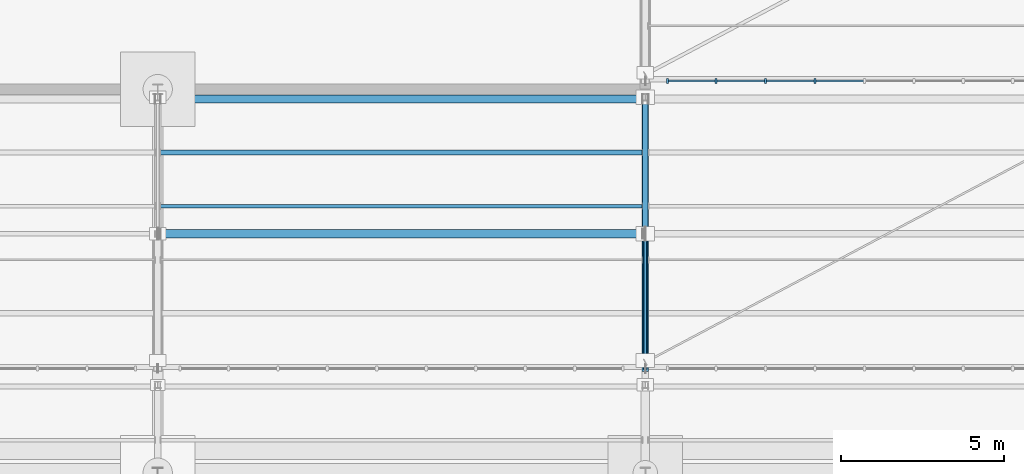
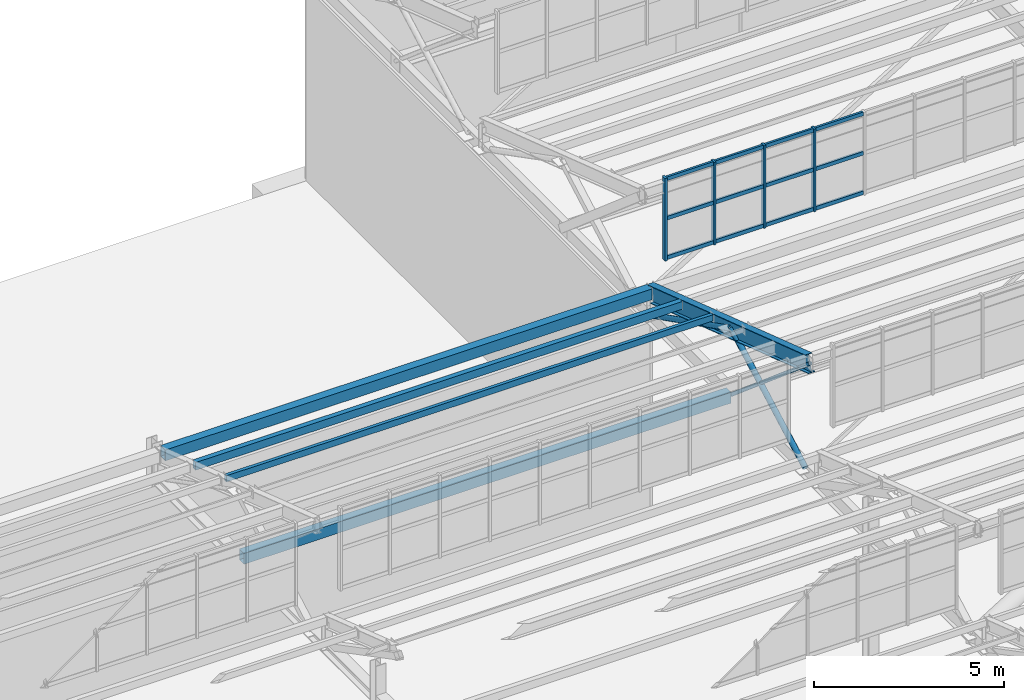
# One storey, part 99 of 285: 20 members, 4 beams, 1 element without a shape of its own.
"""IFC4 building model written with IfcOpenShell, lengths in metres."""

from ifc_helpers import new_model, si_unit, direction, frame, origin, origin_2d, place, context, subcontext, project, spatial, rectangle, hollow_rectangle, hollow_circle, i_section, extrude, material, material_profile, profile_set, type_object, element, aggregate, save


model = new_model("IFC4")

# Units and contexts
model_context = context("Model", 3, precision=1e-05, world=origin(), true_north=direction((0.0, 1.0)))
body_context = subcontext(model_context, "Body", "Model", "MODEL_VIEW")
ifc_project = project(units=[si_unit("LENGTHUNIT", "METRE"), si_unit("AREAUNIT", "SQUARE_METRE"), si_unit("VOLUMEUNIT", "CUBIC_METRE"), si_unit("PLANEANGLEUNIT", "RADIAN"), si_unit("MASSUNIT", "GRAM", prefix="KILO")], contexts=[model_context])

# Site, building, storey
site_placement = place(None, origin())
site = spatial("IfcSite", under=ifc_project, at=site_placement, CompositionType="ELEMENT")
building_placement = place(site_placement, origin())
building = spatial("IfcBuilding", under=site, at=building_placement, Name="Solanera Park Tramway Depot", CompositionType="ELEMENT")
storey_placement = place(building_placement, origin())
storey = spatial("IfcBuildingStorey", under=building, at=storey_placement, Name="L00", CompositionType="ELEMENT", Elevation=0.0)

# Curtain wall, members
ifc_material_1 = material(Name="Bronze-anodised thermally broken aluminium curtain wall", Category="aluminium")
curtain_wall_type = type_object("IfcCurtainWallType", Name="Sawtooth Clerestory Monitor Curtain Wall", PredefinedType="NOTDEFINED", material=ifc_material_1)
curtain_wall_placement = place(storey_placement, origin())
curtain_wall = element("IfcCurtainWall", 1, at=curtain_wall_placement, inside=storey, type_object=curtain_wall_type, Name="L00 Sawtooth Clerestory Monitor Curtain Wall #063", PredefinedType="NOTDEFINED")
ifc_material_2 = material(Name="Bronze-anodised structural aluminium 6063-T6", Category="aluminium")
ifc_material_profile_1 = material_profile(ifc_material_2, rectangle(XDim=0.06494140625, YDim=0.14990234375, at=origin_2d()), Name="Curtain Wall Mullion 65x150")
ifc_profile_set_1 = profile_set([ifc_material_profile_1], Name="Bronze-anodised structural aluminium 6063-T6")
member_type_1 = type_object("IfcMemberType", Name="Curtain Wall Mullion 65x150", PredefinedType="MULLION", material=ifc_profile_set_1)
member_1_placement = place(storey_placement, frame((90.6826171875, 126.550048828125, 7.75), z_axis=(0.0, 0.0, 1.0), x_axis=(1.0, 0.0, 0.0)))
member_1 = element("IfcMember", 2, at=member_1_placement, type_object=member_type_1, Name="CW-L00-063 Mullion 1", PredefinedType="MULLION", context=body_context, shape_type="SweptSolid", body=[
    extrude(rectangle(XDim=0.06494140625, YDim=0.14990234375, at=origin_2d()), origin(), (0.0, 0.0, 1.0), 2.6611328125),
])
member_2_placement = place(storey_placement, frame((92.172119140625, 126.550048828125, 7.75), z_axis=(0.0, 0.0, 1.0), x_axis=(1.0, 0.0, 0.0)))
member_2 = element("IfcMember", 3, at=member_2_placement, type_object=member_type_1, Name="CW-L00-063 Mullion 2", PredefinedType="MULLION", context=body_context, shape_type="SweptSolid", body=[
    extrude(rectangle(XDim=0.06494140625, YDim=0.14990234375, at=origin_2d()), origin(), (0.0, 0.0, 1.0), 2.6611328125),
])
member_3_placement = place(storey_placement, frame((93.6943359375, 126.550048828125, 7.75), z_axis=(0.0, 0.0, 1.0), x_axis=(1.0, 0.0, 0.0)))
member_3 = element("IfcMember", 4, at=member_3_placement, type_object=member_type_1, Name="CW-L00-063 Mullion 3", PredefinedType="MULLION", context=body_context, shape_type="SweptSolid", body=[
    extrude(rectangle(XDim=0.06494140625, YDim=0.14990234375, at=origin_2d()), origin(), (0.0, 0.0, 1.0), 2.6611328125),
])
member_4_placement = place(storey_placement, frame((95.216796875, 126.550048828125, 7.75), z_axis=(0.0, 0.0, 1.0), x_axis=(1.0, 0.0, 0.0)))
member_4 = element("IfcMember", 5, at=member_4_placement, type_object=member_type_1, Name="CW-L00-063 Mullion 4", PredefinedType="MULLION", context=body_context, shape_type="SweptSolid", body=[
    extrude(rectangle(XDim=0.06494140625, YDim=0.14990234375, at=origin_2d()), origin(), (0.0, 0.0, 1.0), 2.6611328125),
])
ifc_material_3 = material(Name="Bronze-anodised structural aluminium 6063-T6", Category="aluminium")
ifc_material_profile_2 = material_profile(ifc_material_3, rectangle(XDim=0.06494140625, YDim=0.1201171875, at=origin_2d()), Name="Curtain Wall Transom 65x120")
ifc_profile_set_2 = profile_set([ifc_material_profile_2], Name="Bronze-anodised structural aluminium 6063-T6")
member_type_2 = type_object("IfcMemberType", Name="Curtain Wall Transom 65x120", PredefinedType="USERDEFINED", material=ifc_profile_set_2)
member_5_placement = place(storey_placement, frame((90.71044921875, 126.550048828125, 7.81005859375), z_axis=(1.0, 0.0, 0.0), x_axis=(0.0, 1.0, 0.0)))
member_5 = element("IfcMember", 6, at=member_5_placement, type_object=member_type_2, Name="CW-L00-063 Transom R1.C1", ObjectType="TRANSOM", PredefinedType="USERDEFINED", context=body_context, shape_type="SweptSolid", body=[
    extrude(rectangle(XDim=0.06494140625, YDim=0.1201171875, at=origin_2d()), origin(), (0.0, 0.0, 1.0), 1.433837890625),
])
member_6_placement = place(storey_placement, frame((92.2001953125, 126.550048828125, 7.81005859375), z_axis=(1.0, 0.0, 0.0), x_axis=(0.0, 1.0, 0.0)))
member_6 = element("IfcMember", 7, at=member_6_placement, type_object=member_type_2, Name="CW-L00-063 Transom R1.C2", ObjectType="TRANSOM", PredefinedType="USERDEFINED", context=body_context, shape_type="SweptSolid", body=[
    extrude(rectangle(XDim=0.06494140625, YDim=0.1201171875, at=origin_2d()), origin(), (0.0, 0.0, 1.0), 1.46630859375),
])
member_7_placement = place(storey_placement, frame((93.722412109375, 126.550048828125, 7.81005859375), z_axis=(1.0, 0.0, 0.0), x_axis=(0.0, 1.0, 0.0)))
member_7 = element("IfcMember", 8, at=member_7_placement, type_object=member_type_2, Name="CW-L00-063 Transom R1.C3", ObjectType="TRANSOM", PredefinedType="USERDEFINED", context=body_context, shape_type="SweptSolid", body=[
    extrude(rectangle(XDim=0.06494140625, YDim=0.1201171875, at=origin_2d()), origin(), (0.0, 0.0, 1.0), 1.46630859375),
])
member_8_placement = place(storey_placement, frame((95.24462890625, 126.550048828125, 7.81005859375), z_axis=(1.0, 0.0, 0.0), x_axis=(0.0, 1.0, 0.0)))
member_8 = element("IfcMember", 9, at=member_8_placement, type_object=member_type_2, Name="CW-L00-063 Transom R1.C4", ObjectType="TRANSOM", PredefinedType="USERDEFINED", context=body_context, shape_type="SweptSolid", body=[
    extrude(rectangle(XDim=0.06494140625, YDim=0.1201171875, at=origin_2d()), origin(), (0.0, 0.0, 1.0), 1.46630859375),
])
member_9_placement = place(storey_placement, frame((90.71044921875, 126.550048828125, 9.08056640625), z_axis=(1.0, 0.0, 0.0), x_axis=(0.0, 1.0, 0.0)))
member_9 = element("IfcMember", 10, at=member_9_placement, type_object=member_type_2, Name="CW-L00-063 Transom R2.C1", ObjectType="TRANSOM", PredefinedType="USERDEFINED", context=body_context, shape_type="SweptSolid", body=[
    extrude(rectangle(XDim=0.06494140625, YDim=0.1201171875, at=origin_2d()), origin(), (0.0, 0.0, 1.0), 1.433837890625),
])
member_10_placement = place(storey_placement, frame((92.2001953125, 126.550048828125, 9.08056640625), z_axis=(1.0, 0.0, 0.0), x_axis=(0.0, 1.0, 0.0)))
member_10 = element("IfcMember", 11, at=member_10_placement, type_object=member_type_2, Name="CW-L00-063 Transom R2.C2", ObjectType="TRANSOM", PredefinedType="USERDEFINED", context=body_context, shape_type="SweptSolid", body=[
    extrude(rectangle(XDim=0.06494140625, YDim=0.1201171875, at=origin_2d()), origin(), (0.0, 0.0, 1.0), 1.46630859375),
])
member_11_placement = place(storey_placement, frame((93.722412109375, 126.550048828125, 9.08056640625), z_axis=(1.0, 0.0, 0.0), x_axis=(0.0, 1.0, 0.0)))
member_11 = element("IfcMember", 12, at=member_11_placement, type_object=member_type_2, Name="CW-L00-063 Transom R2.C3", ObjectType="TRANSOM", PredefinedType="USERDEFINED", context=body_context, shape_type="SweptSolid", body=[
    extrude(rectangle(XDim=0.06494140625, YDim=0.1201171875, at=origin_2d()), origin(), (0.0, 0.0, 1.0), 1.46630859375),
])
member_12_placement = place(storey_placement, frame((95.24462890625, 126.550048828125, 9.08056640625), z_axis=(1.0, 0.0, 0.0), x_axis=(0.0, 1.0, 0.0)))
member_12 = element("IfcMember", 13, at=member_12_placement, type_object=member_type_2, Name="CW-L00-063 Transom R2.C4", ObjectType="TRANSOM", PredefinedType="USERDEFINED", context=body_context, shape_type="SweptSolid", body=[
    extrude(rectangle(XDim=0.06494140625, YDim=0.1201171875, at=origin_2d()), origin(), (0.0, 0.0, 1.0), 1.46630859375),
])
member_13_placement = place(storey_placement, frame((90.71044921875, 126.550048828125, 10.351318359375), z_axis=(1.0, 0.0, 0.0), x_axis=(0.0, 1.0, 0.0)))
member_13 = element("IfcMember", 14, at=member_13_placement, type_object=member_type_2, Name="CW-L00-063 Transom R3.C1", ObjectType="TRANSOM", PredefinedType="USERDEFINED", context=body_context, shape_type="SweptSolid", body=[
    extrude(rectangle(XDim=0.06494140625, YDim=0.1201171875, at=origin_2d()), origin(), (0.0, 0.0, 1.0), 1.433837890625),
])
member_14_placement = place(storey_placement, frame((92.2001953125, 126.550048828125, 10.351318359375), z_axis=(1.0, 0.0, 0.0), x_axis=(0.0, 1.0, 0.0)))
member_14 = element("IfcMember", 15, at=member_14_placement, type_object=member_type_2, Name="CW-L00-063 Transom R3.C2", ObjectType="TRANSOM", PredefinedType="USERDEFINED", context=body_context, shape_type="SweptSolid", body=[
    extrude(rectangle(XDim=0.06494140625, YDim=0.1201171875, at=origin_2d()), origin(), (0.0, 0.0, 1.0), 1.46630859375),
])
member_15_placement = place(storey_placement, frame((93.722412109375, 126.550048828125, 10.351318359375), z_axis=(1.0, 0.0, 0.0), x_axis=(0.0, 1.0, 0.0)))
member_15 = element("IfcMember", 16, at=member_15_placement, type_object=member_type_2, Name="CW-L00-063 Transom R3.C3", ObjectType="TRANSOM", PredefinedType="USERDEFINED", context=body_context, shape_type="SweptSolid", body=[
    extrude(rectangle(XDim=0.06494140625, YDim=0.1201171875, at=origin_2d()), origin(), (0.0, 0.0, 1.0), 1.46630859375),
])
member_16_placement = place(storey_placement, frame((95.24462890625, 126.550048828125, 10.351318359375), z_axis=(1.0, 0.0, 0.0), x_axis=(0.0, 1.0, 0.0)))
member_16 = element("IfcMember", 17, at=member_16_placement, type_object=member_type_2, Name="CW-L00-063 Transom R3.C4", ObjectType="TRANSOM", PredefinedType="USERDEFINED", context=body_context, shape_type="SweptSolid", body=[
    extrude(rectangle(XDim=0.06494140625, YDim=0.1201171875, at=origin_2d()), origin(), (0.0, 0.0, 1.0), 1.46630859375),
])
aggregate(curtain_wall, [member_1, member_2, member_3, member_4, member_5, member_6, member_7, member_8, member_9, member_10, member_11, member_12, member_13, member_14, member_15, member_16])

# Members
ifc_material_4 = material(Name="Steel AS/NZS 1163 Grade C350L0", Category="steel")
ifc_material_profile_3 = material_profile(ifc_material_4, hollow_circle(Radius=0.084228515625, WallThickness=0.00634765625, at=origin_2d()), Name="168.3x6.4 CHS")
ifc_profile_set_3 = profile_set([ifc_material_profile_3], Name="Steel AS/NZS 1163 Grade C350L0")
member_type_3 = type_object("IfcMemberType", Name="Roof Gantry Compression Strut 168.3x6.4 CHS", PredefinedType="STRUT", material=ifc_profile_set_3)
member_17_placement = place(storey_placement, frame((90.0, 117.949951171875, 6.5), z_axis=(0.0, 0.877679219611, 0.479248565425), x_axis=(-1.0, 0.0, 0.0)))
element("IfcMember", 18, at=member_17_placement, inside=storey, type_object=member_type_3, Name="Sawtooth ROOF TRUSS Strut 168.3x6.4 CHS #0340", PredefinedType="STRUT", context=body_context, shape_type="SweptSolid", body=[
    extrude(hollow_circle(Radius=0.084228515625, WallThickness=0.00634765625, at=origin_2d()), origin(), (0.0, 0.0, 1.0), 4.443603515625),
])
ifc_material_5 = material(Name="Steel AS/NZS 1163 Grade C350L0", Category="steel")
ifc_material_profile_4 = material_profile(ifc_material_5, hollow_rectangle(XDim=0.25, YDim=0.35009765625, WallThickness=0.010009765625, at=origin_2d()), Name="350x250x10.0 RHS")
ifc_profile_set_4 = profile_set([ifc_material_profile_4], Name="Steel AS/NZS 1163 Grade C350L0")
member_type_4 = type_object("IfcMemberType", Name="Secondary Truss Chord 350x250x10.0 RHS", PredefinedType="CHORD", material=ifc_profile_set_4)
member_18_placement = place(storey_placement, frame((75.087890625, 121.85009765625, 6.5), z_axis=(1.0, 0.0, 0.0), x_axis=(0.0, 1.0, 0.0)))
element("IfcMember", 19, at=member_18_placement, inside=storey, type_object=member_type_4, Name="Sawtooth Longitudinal Tie Chord 350x250x10.0 RHS #0360", PredefinedType="CHORD", context=body_context, shape_type="SweptSolid", body=[
    extrude(hollow_rectangle(XDim=0.25, YDim=0.35009765625, WallThickness=0.010009765625, at=origin_2d()), origin(), (0.0, 0.0, 1.0), 14.82421875),
])

# Beams
ifc_material_6 = material(Name="Steel AS/NZS 3679.1 Grade 350", Category="steel")
ifc_material_profile_5 = material_profile(ifc_material_6, i_section(OverallWidth=0.209228515625, OverallDepth=0.532958984375, WebThickness=0.01025390625, FlangeThickness=0.015625, at=origin_2d()), Name="530UB92.4")
ifc_profile_set_5 = profile_set([ifc_material_profile_5], Name="Steel AS/NZS 3679.1 Grade 350")
beam_type_1 = type_object("IfcBeamType", Name="Steel Beam 530UB92.4", PredefinedType="BEAM", material=ifc_profile_set_5)
beam_1_placement = place(storey_placement, frame((90.0, 117.699951171875, 10.018310546875), z_axis=(0.0, 0.948322229475, -0.317308917435), x_axis=(-1.0, 0.0, 0.0)))
element("IfcBeam", 20, at=beam_1_placement, inside=storey, type_object=beam_type_1, Name="Sawtooth ROOF TRUSS Top Rafter 530UB92.4 B08-T7", PredefinedType="BEAM", context=body_context, shape_type="SweptSolid", body=[
    extrude(i_section(OverallWidth=0.209228515625, OverallDepth=0.532958984375, WebThickness=0.01025390625, FlangeThickness=0.015625, at=origin_2d()), origin(), (0.0, 0.0, 1.0), 8.80517578125),
])
ifc_material_7 = material(Name="Steel AS/NZS 1163 Grade C350L0", Category="steel")
ifc_material_profile_6 = material_profile(ifc_material_7, hollow_rectangle(XDim=0.10009765625, YDim=0.199951171875, WallThickness=0.006103515625, at=origin_2d()), Name="200x100x6.0 RHS")
ifc_profile_set_6 = profile_set([ifc_material_profile_6], Name="Steel AS/NZS 1163 Grade C350L0")
beam_type_2 = type_object("IfcBeamType", Name="Steel Joist Purlin 200x100x6.0 RHS", PredefinedType="JOIST", material=ifc_profile_set_6)
beam_2_placement = place(storey_placement, frame((75.087158203125, 122.699951171875, 8.51708984375), z_axis=(1.0, 0.0, 0.0), x_axis=(0.0, 1.0, 0.0)))
element("IfcBeam", 21, at=beam_2_placement, inside=storey, type_object=beam_type_2, Name="Sawtooth Roof Purlin 200x100x6.0 RHS B08.4", PredefinedType="JOIST", context=body_context, shape_type="SweptSolid", body=[
    extrude(hollow_rectangle(XDim=0.10009765625, YDim=0.199951171875, WallThickness=0.006103515625, at=origin_2d()), origin(), (0.0, 0.0, 1.0), 14.816162109375),
])
ifc_material_8 = material(Name="Steel AS/NZS 1163 Grade C350L0", Category="steel")
ifc_material_profile_7 = material_profile(ifc_material_8, hollow_rectangle(XDim=0.14990234375, YDim=0.25, WallThickness=0.008056640625, at=origin_2d()), Name="250x150x8.0 RHS")
ifc_profile_set_7 = profile_set([ifc_material_profile_7], Name="Steel AS/NZS 1163 Grade C350L0")
beam_type_3 = type_object("IfcBeamType", Name="Steel Joist Purlin 250x150x8.0 RHS", PredefinedType="JOIST", material=ifc_profile_set_7)
beam_3_placement = place(storey_placement, frame((75.087158203125, 124.35009765625, 7.931640625), z_axis=(1.0, 0.0, 0.0), x_axis=(0.0, 1.0, 0.0)))
element("IfcBeam", 22, at=beam_3_placement, inside=storey, type_object=beam_type_3, Name="Sawtooth Roof Purlin 250x150x8.0 RHS B08.5", PredefinedType="JOIST", context=body_context, shape_type="SweptSolid", body=[
    extrude(hollow_rectangle(XDim=0.14990234375, YDim=0.25, WallThickness=0.008056640625, at=origin_2d()), origin(), (0.0, 0.0, 1.0), 14.816162109375),
])
ifc_material_9 = material(Name="Steel AS/NZS 1163 Grade C350L0", Category="steel")
ifc_material_profile_8 = material_profile(ifc_material_9, hollow_rectangle(XDim=0.25, YDim=0.35009765625, WallThickness=0.010009765625, at=origin_2d()), Name="350x250x10.0 RHS")
ifc_profile_set_8 = profile_set([ifc_material_profile_8], Name="Steel AS/NZS 1163 Grade C350L0")
beam_type_4 = type_object("IfcBeamType", Name="Steel Joist Purlin 350x250x10.0 RHS", PredefinedType="JOIST", material=ifc_profile_set_8)
beam_4_placement = place(storey_placement, frame((75.087158203125, 126.0, 7.312744140625), z_axis=(1.0, 0.0, 0.0), x_axis=(0.0, 1.0, 0.0)))
element("IfcBeam", 23, at=beam_4_placement, inside=storey, type_object=beam_type_4, Name="Sawtooth Roof Purlin 350x250x10.0 RHS B08.6", PredefinedType="JOIST", context=body_context, shape_type="SweptSolid", body=[
    extrude(hollow_rectangle(XDim=0.25, YDim=0.35009765625, WallThickness=0.010009765625, at=origin_2d()), origin(), (0.0, 0.0, 1.0), 14.816162109375),
])

# Members
ifc_material_10 = material(Name="Steel AS/NZS 1163 Grade C350L0", Category="steel")
ifc_material_profile_9 = material_profile(ifc_material_10, hollow_circle(Radius=0.05712890625, WallThickness=0.0048828125, at=origin_2d()), Name="114.3x4.8 CHS")
ifc_profile_set_9 = profile_set([ifc_material_profile_9], Name="Steel AS/NZS 1163 Grade C350L0")
member_type_5 = type_object("IfcMemberType", Name="Truss and Frame Brace 114.3x4.8 CHS", PredefinedType="BRACE", material=ifc_profile_set_9)
member_19_placement = place(storey_placement, frame((90.0, 121.85009765625, 6.5), z_axis=(0.0, -0.762783427217, 0.646654036686), x_axis=(1.0, 0.0, 0.0)))
element("IfcMember", 24, at=member_19_placement, inside=storey, type_object=member_type_5, Name="Sawtooth ROOF TRUSS Web Brace 114.3x4.8 CHS #0338", PredefinedType="BRACE", context=body_context, shape_type="SweptSolid", body=[
    extrude(hollow_circle(Radius=0.05712890625, WallThickness=0.0048828125, at=origin_2d()), origin(), (0.0, 0.0, 1.0), 5.440673828125),
])
ifc_material_11 = material(Name="Steel AS/NZS 1163 Grade C350L0", Category="steel")
ifc_material_profile_10 = material_profile(ifc_material_11, hollow_circle(Radius=0.084228515625, WallThickness=0.00634765625, at=origin_2d()), Name="168.3x6.4 CHS")
ifc_profile_set_10 = profile_set([ifc_material_profile_10], Name="Steel AS/NZS 1163 Grade C350L0")
member_type_6 = type_object("IfcMemberType", Name="Truss and Frame Brace 168.3x6.4 CHS", PredefinedType="BRACE", material=ifc_profile_set_10)
member_20_placement = place(storey_placement, frame((90.0, 126.050048828125, 6.5), z_axis=(0.0, -0.891893316909, 0.452245852665), x_axis=(1.0, 0.0, 0.0)))
element("IfcMember", 25, at=member_20_placement, inside=storey, type_object=member_type_6, Name="Sawtooth ROOF TRUSS Diagonal 168.3x6.4 CHS #0339", PredefinedType="BRACE", context=body_context, shape_type="SweptSolid", body=[
    extrude(hollow_circle(Radius=0.084228515625, WallThickness=0.00634765625, at=origin_2d()), origin(), (0.0, 0.0, 1.0), 4.708984375),
])

save(model, "model.ifc")
